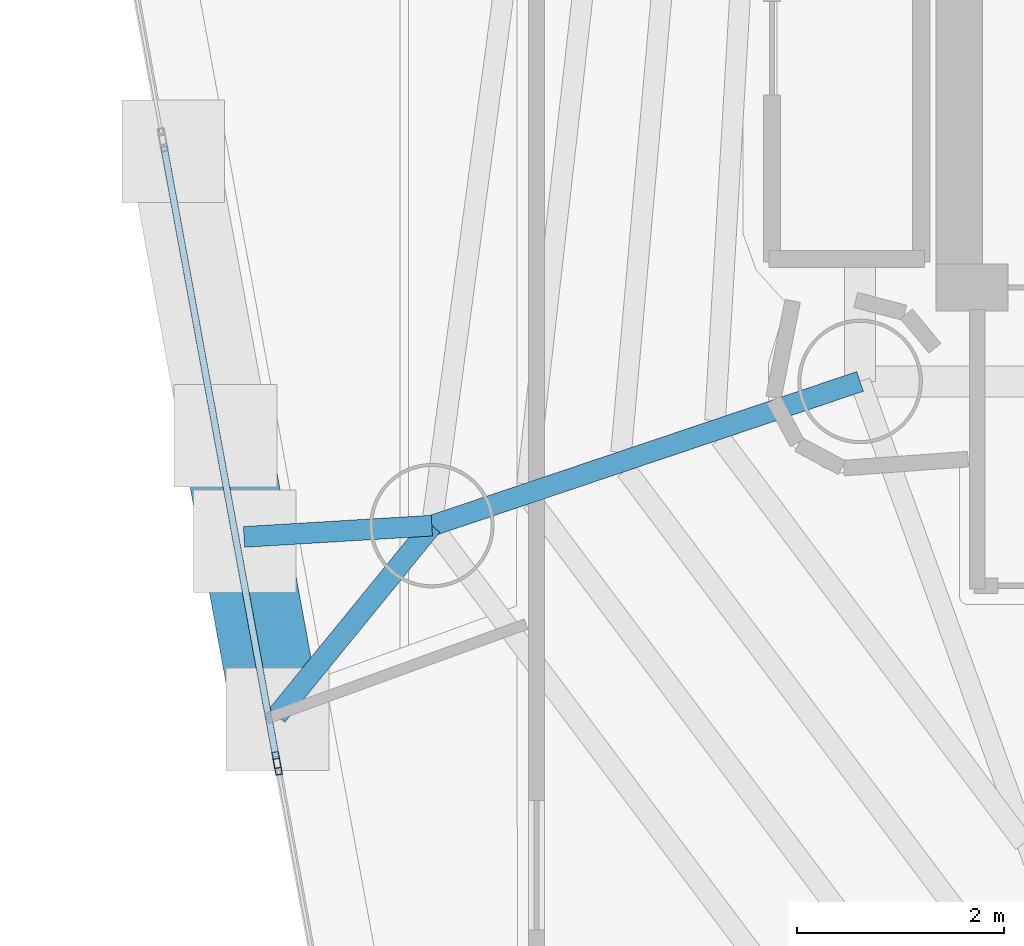
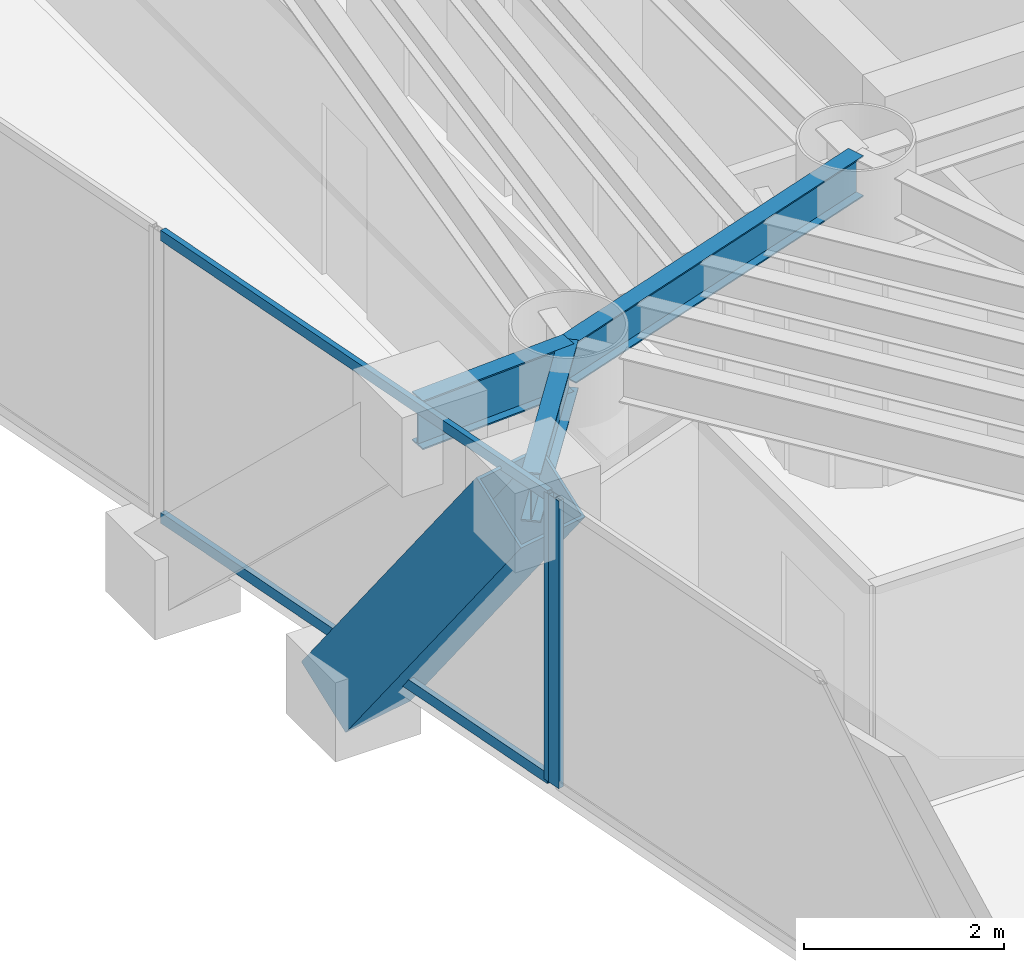
# One storey, part 4 of 23: 5 members, 3 beams, 2 elements without a shape of their own.
"""IFC4 building model written with IfcOpenShell, lengths in metres."""

from ifc_helpers import new_model, si_unit, direction, frame, origin, origin_2d, place, context, subcontext, project, spatial, hollow_rectangle, i_section, extrude, material, layer, layer_set, material_profile, profile_set, type_object, element, aggregate, save


model = new_model("IFC4")

# Units and contexts
model_context = context("Model", 3, precision=1e-05, world=origin(), true_north=direction((0.0, 1.0)))
body_context = subcontext(model_context, "Body", "Model", "MODEL_VIEW")
ifc_project = project(units=[si_unit("LENGTHUNIT", "METRE"), si_unit("AREAUNIT", "SQUARE_METRE"), si_unit("VOLUMEUNIT", "CUBIC_METRE"), si_unit("PLANEANGLEUNIT", "RADIAN"), si_unit("MASSUNIT", "GRAM", prefix="KILO")], contexts=[model_context])

# Site, building, storey
site_placement = place(None, origin())
site = spatial("IfcSite", under=ifc_project, at=site_placement, CompositionType="ELEMENT")
building_placement = place(site_placement, origin())
building = spatial("IfcBuilding", under=site, at=building_placement, Name="Qianvela Tower", CompositionType="ELEMENT")
storey_placement = place(building_placement, frame((0.0, 0.0, 192.89990234375)))
storey = spatial("IfcBuildingStorey", under=building, at=storey_placement, Name="L49", CompositionType="ELEMENT", Elevation=192.89990234375)

# Beams
ifc_material_1 = material(Name="Steel Q355B", Category="steel")
ifc_material_profile_1 = material_profile(ifc_material_1, i_section(OverallWidth=0.199951171875, OverallDepth=0.5, WebThickness=0.010009765625, FlangeThickness=0.01611328125, at=origin_2d()), Name="HN500x200x10x16")
ifc_profile_set_1 = profile_set([ifc_material_profile_1], Name="Steel Q355B")
beam_type_1 = type_object("IfcBeamType", Name="BM-HN500-GIRD", PredefinedType="BEAM", material=ifc_profile_set_1)
beam_1_placement = place(storey_placement, frame((28.60009765625, 23.85009765625, 3.26806640625), z_axis=(-0.947709214586, -0.319135150976, 0.0), x_axis=(0.319135150976, -0.947709214586, 0.0)))
element("IfcBeam", 1, at=beam_1_placement, inside=storey, type_object=beam_type_1, Name="L49 Radial Primary Floor Girder 4", PredefinedType="BEAM", context=body_context, shape_type="SweptSolid", body=[
    extrude(i_section(OverallWidth=0.199951171875, OverallDepth=0.5, WebThickness=0.010009765625, FlangeThickness=0.01611328125, at=origin_2d()), origin(), (0.0, 0.0, 1.0), 4.35595703125),
])
ifc_material_2 = material(Name="Steel Q355B", Category="steel")
ifc_material_profile_2 = material_profile(ifc_material_2, i_section(OverallWidth=0.199951171875, OverallDepth=0.60009765625, WebThickness=0.010986328125, FlangeThickness=0.01708984375, at=origin_2d()), Name="HN600x200x11x17")
ifc_profile_set_2 = profile_set([ifc_material_profile_2], Name="Steel Q355B")
beam_type_2 = type_object("IfcBeamType", Name="BM-HN600-GIRD", PredefinedType="BEAM", material=ifc_profile_set_2)
beam_2_placement = place(storey_placement, frame((24.471923828125, 22.4599609375, 3.218017578125), z_axis=(-0.998205006383, -0.059889608715, 0.0), x_axis=(0.059889608715, -0.998205006383, 0.0)))
element("IfcBeam", 2, at=beam_2_placement, inside=storey, type_object=beam_type_2, Name="L49 Mega-Brace Column Tie Bracket F2-1", PredefinedType="BEAM", context=body_context, shape_type="SweptSolid", body=[
    extrude(i_section(OverallWidth=0.199951171875, OverallDepth=0.60009765625, WebThickness=0.010986328125, FlangeThickness=0.01708984375, at=origin_2d()), origin(), (0.0, 0.0, 1.0), 1.81396484375),
])
beam_3_placement = place(storey_placement, frame((24.471923828125, 22.4599609375, 3.218017578125), z_axis=(-0.631983156338, -0.774982122442, 0.0), x_axis=(0.774982122442, -0.631983156338, 0.0)))
element("IfcBeam", 3, at=beam_3_placement, inside=storey, type_object=beam_type_2, Name="L49 Mega-Brace Column Tie Bracket F2-2", PredefinedType="BEAM", context=body_context, shape_type="SweptSolid", body=[
    extrude(i_section(OverallWidth=0.199951171875, OverallDepth=0.60009765625, WebThickness=0.010986328125, FlangeThickness=0.01708984375, at=origin_2d()), origin(), (0.0, 0.0, 1.0), 2.364501953125),
])

# Curtain wall, members
ifc_material_3 = material(Name="Anodised Architectural Aluminium and Insulated Spandrel Panel", Category="aluminium")
ifc_layer_1 = layer(ifc_material_3, 0.179931640625)
ifc_layer_set_1 = layer_set([ifc_layer_1], Name="Anodised Architectural Aluminium and Insulated Spandrel Panel")
curtain_wall_type_1 = type_object("IfcCurtainWallType", Name="CW-BRACEBAY", PredefinedType="USERDEFINED", material=ifc_layer_set_1)
curtain_wall_1_placement = place(storey_placement, origin())
curtain_wall_1 = element("IfcCurtainWall", 4, at=curtain_wall_1_placement, inside=storey, type_object=curtain_wall_type_1, Name="L49 CW-BRACEBAY Curtain Wall 04B", ObjectType="CURTAIN_WALL_SYSTEM", PredefinedType="USERDEFINED")
ifc_material_4 = material(Name="Anodised Architectural Aluminium 6063-T6", Category="aluminium")
ifc_material_profile_3 = material_profile(ifc_material_4, hollow_rectangle(XDim=0.06494140625, YDim=0.159912109375, WallThickness=0.0048828125, at=origin_2d()), Name="ALU-MULL-65x160")
ifc_profile_set_3 = profile_set([ifc_material_profile_3], Name="Anodised Architectural Aluminium 6063-T6")
member_type_1 = type_object("IfcMemberType", Name="CW-BRACEBAY-MULL", PredefinedType="MULLION", material=ifc_profile_set_3)
member_1_placement = place(storey_placement, frame((22.974609375, 20.200927734375, 0.0), z_axis=(0.0, 0.0, 1.0), x_axis=(0.983570540813, 0.180524212353, 0.0)))
member_1 = element("IfcMember", 5, at=member_1_placement, type_object=member_type_1, Name="CW-9 mullion 2", PredefinedType="MULLION", context=body_context, shape_type="SweptSolid", body=[
    extrude(hollow_rectangle(XDim=0.06494140625, YDim=0.159912109375, WallThickness=0.0048828125, at=origin_2d()), origin(), (0.0, 0.0, 1.0), 3.52001953125),
])
ifc_material_5 = material(Name="Anodised Architectural Aluminium 6063-T6", Category="aluminium")
ifc_material_profile_4 = material_profile(ifc_material_5, hollow_rectangle(XDim=0.06494140625, YDim=0.1298828125, WallThickness=0.00439453125, at=origin_2d()), Name="ALU-TRAN-65x130")
ifc_profile_set_4 = profile_set([ifc_material_profile_4], Name="Anodised Architectural Aluminium 6063-T6")
member_type_2 = type_object("IfcMemberType", Name="CW-BRACEBAY-TRAN", PredefinedType="USERDEFINED", material=ifc_profile_set_4)
member_2_placement = place(storey_placement, frame((21.88916015625, 26.114501953125, 0.03271484375), z_axis=(0.180537870809, -0.983568033846, 0.0), x_axis=(0.983568033846, 0.180537870809, 0.0)))
member_2 = element("IfcMember", 6, at=member_2_placement, type_object=member_type_2, Name="CW-9 transom 1.1", ObjectType="TRANSOM", PredefinedType="USERDEFINED", context=body_context, shape_type="SweptSolid", body=[
    extrude(hollow_rectangle(XDim=0.06494140625, YDim=0.1298828125, WallThickness=0.00439453125, at=origin_2d()), origin(), (0.0, 0.0, 1.0), 5.979736328125),
])
member_3_placement = place(storey_placement, frame((21.88916015625, 26.114501953125, 3.487548828125), z_axis=(0.180537870809, -0.983568033846, 0.0), x_axis=(0.983568033846, 0.180537870809, 0.0)))
member_3 = element("IfcMember", 7, at=member_3_placement, type_object=member_type_2, Name="CW-9 transom 1.2", ObjectType="TRANSOM", PredefinedType="USERDEFINED", context=body_context, shape_type="SweptSolid", body=[
    extrude(hollow_rectangle(XDim=0.06494140625, YDim=0.1298828125, WallThickness=0.00439453125, at=origin_2d()), origin(), (0.0, 0.0, 1.0), 5.979736328125),
])
aggregate(curtain_wall_1, [member_1, member_2, member_3])

# Curtain wall, member
ifc_material_6 = material(Name="Anodised Architectural Aluminium and Low-E Glass", Category="aluminium")
ifc_layer_2 = layer(ifc_material_6, 0.159912109375)
ifc_layer_set_2 = layer_set([ifc_layer_2], Name="Anodised Architectural Aluminium and Low-E Glass")
curtain_wall_type_2 = type_object("IfcCurtainWallType", Name="CW-COLIV-Z56", PredefinedType="USERDEFINED", material=ifc_layer_set_2)
curtain_wall_2_placement = place(storey_placement, origin())
curtain_wall_2 = element("IfcCurtainWall", 8, at=curtain_wall_2_placement, inside=storey, type_object=curtain_wall_type_2, Name="L49 CW-COLIV-Z56 Curtain Wall 04C", ObjectType="CURTAIN_WALL_SYSTEM", PredefinedType="USERDEFINED")
ifc_material_7 = material(Name="Anodised Architectural Aluminium 6063-T6", Category="aluminium")
ifc_material_profile_5 = material_profile(ifc_material_7, hollow_rectangle(XDim=0.06494140625, YDim=0.159912109375, WallThickness=0.0048828125, at=origin_2d()), Name="ALU-MULL-65x160")
ifc_profile_set_5 = profile_set([ifc_material_profile_5], Name="Anodised Architectural Aluminium 6063-T6")
member_type_3 = type_object("IfcMemberType", Name="CW-COLIV-Z56-MULL", PredefinedType="MULLION", material=ifc_profile_set_5)
member_4_placement = place(storey_placement, frame((22.986328125, 20.136962890625, 0.0), z_axis=(0.0, 0.0, 1.0), x_axis=(0.983572096389, 0.180515736726, 0.0)))
member_4 = element("IfcMember", 9, at=member_4_placement, type_object=member_type_3, Name="CW-5 mullion 1", PredefinedType="MULLION", context=body_context, shape_type="SweptSolid", body=[
    extrude(hollow_rectangle(XDim=0.06494140625, YDim=0.159912109375, WallThickness=0.0048828125, at=origin_2d()), origin(), (0.0, 0.0, 1.0), 3.52001953125),
])
aggregate(curtain_wall_2, [member_4])

# Member
ifc_material_8 = material(Name="Steel Q420GJC", Category="steel")
ifc_material_profile_6 = material_profile(ifc_material_8, hollow_rectangle(XDim=0.85009765625, YDim=0.85009765625, WallThickness=0.031982421875, at=origin_2d()), Name="MBOX-850x850x32")
ifc_profile_set_6 = profile_set([ifc_material_profile_6], Name="Steel Q420GJC")
member_type_4 = type_object("IfcMemberType", Name="MBR-MBRACE-850", PredefinedType="BRACE", material=ifc_profile_set_6)
member_5_placement = place(storey_placement, frame((22.48876953125, 23.290771484375, -0.48193359375), z_axis=(0.106602782505, -0.580883993179, 0.80697560882), x_axis=(0.983574290837, 0.180503779472, 0.0)))
element("IfcMember", 10, at=member_5_placement, inside=storey, type_object=member_type_4, Name="L49 Tier 8 Exterior Mega-Brace F2B", PredefinedType="BRACE", context=body_context, shape_type="SweptSolid", body=[
    extrude(hollow_rectangle(XDim=0.85009765625, YDim=0.85009765625, WallThickness=0.031982421875, at=origin_2d()), origin(), (0.0, 0.0, 1.0), 4.5849609375),
])

save(model, "model.ifc")
